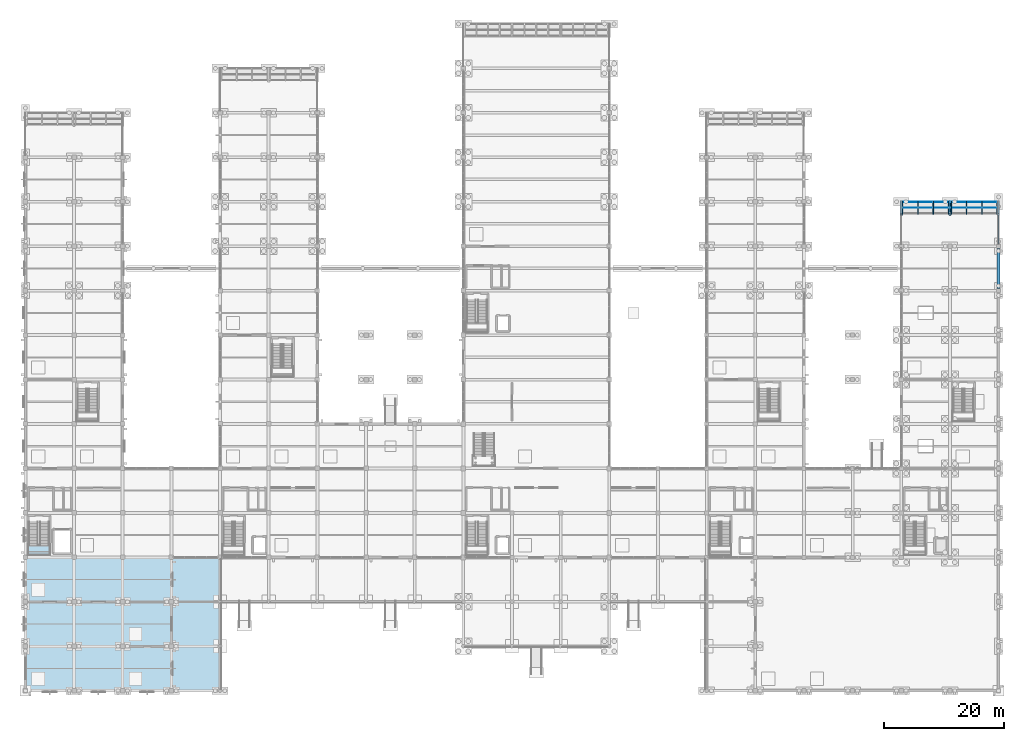
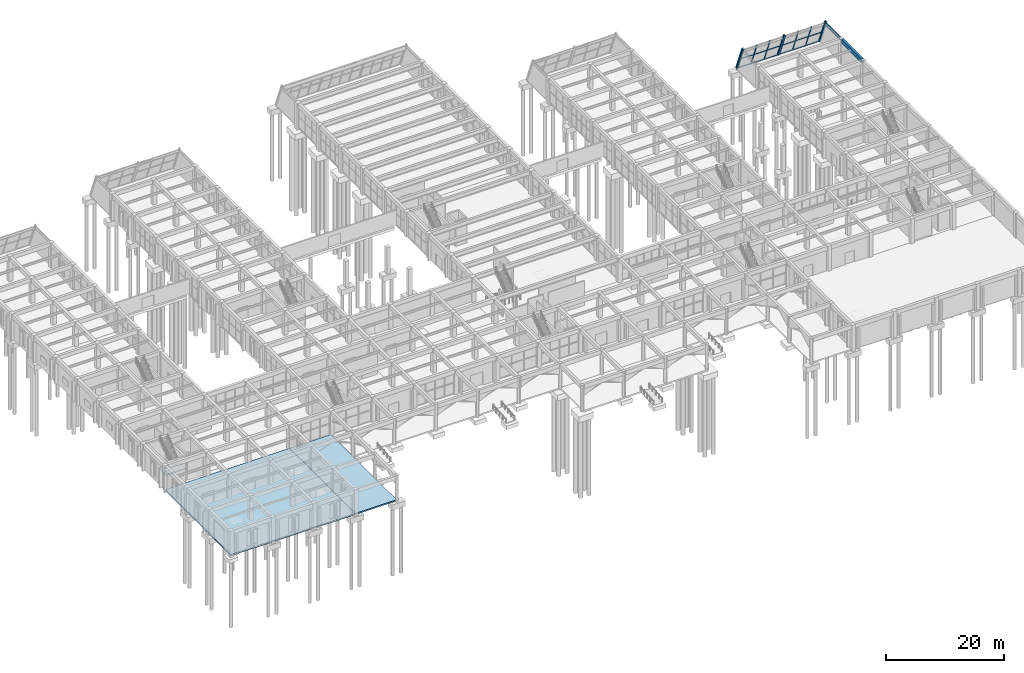
# One storey, part 110 of 140: 15 members, 3 slabs, 2 beams, 3 elements without a shape of their own.
"""IFC4 building model written with IfcOpenShell, lengths in metres."""

import ifcopenshell
import ifcopenshell.guid

model = None  # the IFC model being written
_history = None  # IfcOwnerHistory: only IFC2X3 demands one
_inside = {}  # id of a spatial element -> (the spatial element, [elements in it])
_under = {}  # id of a project, library or spatial element -> (it, [spatial elements below it])
_declared = {}  # id of a project -> (the project, [libraries it declares])
_typed = {}  # id of a type object -> (the type object, [elements of that type])
_made_of = {}  # id of a material, layer set ... -> (it, [elements and type objects made of it])


def new_model(schema):
    """Start an empty IFC model of exactly this schema.

    Asked for "IFC4X3", IfcOpenShell would pick the latest addendum, in which some entities
    have other attributes; the version numbers below select the first issue.
    IFC2X3 requires an IfcOwnerHistory on every rooted entity: one is made here for all.
    """
    global model, _history
    if schema == "IFC4X3":
        model = ifcopenshell.file(schema_version=(4, 3, 0, 0))
    else:
        model = ifcopenshell.file(schema=schema)
    _inside.clear()
    _under.clear()
    _declared.clear()
    _typed.clear()
    _made_of.clear()
    _history = None
    if model.schema == "IFC2X3":
        org = make("IfcOrganization", Name="unknown")
        user = make(
            "IfcPersonAndOrganization",
            ThePerson=make("IfcPerson", FamilyName="unknown"),
            TheOrganization=org,
        )
        app = make(
            "IfcApplication",
            ApplicationDeveloper=org,
            Version="unknown",
            ApplicationFullName="unknown",
            ApplicationIdentifier="unknown",
        )
        _history = make(
            "IfcOwnerHistory",
            OwningUser=user,
            OwningApplication=app,
            ChangeAction="ADDED",
            CreationDate=0,
        )
    return model


def make(cls, **values):
    """One entity of the class cls with the attributes given. An attribute that is None is left unset."""
    return model.create_entity(
        cls, **{name: value for name, value in values.items() if value is not None}
    )


def rooted(cls, **values):
    """An entity with a GlobalId (a new one), such as an element, a storey or a relation."""
    return make(cls, GlobalId=ifcopenshell.guid.new(), OwnerHistory=_history, **values)


def si_unit(unit_type, name, prefix=None):
    """IfcSIUnit, for example si_unit("LENGTHUNIT", "METRE", prefix="MILLI")."""
    return make("IfcSIUnit", UnitType=unit_type, Prefix=prefix, Name=name)


def assignment(units):
    """IfcUnitAssignment: the units of a project."""
    return None if units is None else make("IfcUnitAssignment", Units=units)


def point(xyz):
    """IfcCartesianPoint."""
    return None if xyz is None else make("IfcCartesianPoint", Coordinates=xyz)


def direction(xyz):
    """IfcDirection."""
    return None if xyz is None else make("IfcDirection", DirectionRatios=xyz)


def frame(location, z_axis=None, x_axis=None):
    """IfcAxis2Placement3D, a coordinate frame: its origin and axes. An axis left out is left unset."""
    return make(
        "IfcAxis2Placement3D",
        Location=point(location),
        Axis=direction(z_axis),
        RefDirection=direction(x_axis),
    )


def frame_2d(location, x_axis=None):
    """IfcAxis2Placement2D, a coordinate frame in the plane: its origin and x axis."""
    return make(
        "IfcAxis2Placement2D", Location=point(location), RefDirection=direction(x_axis)
    )


def origin():
    """The frame at (0, 0, 0) with its axes left unset."""
    return frame((0.0, 0.0, 0.0))


def origin_2d():
    """The frame at (0, 0) in the plane with its x axis left unset."""
    return frame_2d((0.0, 0.0))


def place(relative_to, where):
    """IfcLocalPlacement: puts the frame where relative to a parent placement (None: the world)."""
    return make(
        "IfcLocalPlacement", PlacementRelTo=relative_to, RelativePlacement=where
    )


def context(
    kind, dimensions, precision=None, world=None, true_north=None, identifier=None
):
    """IfcGeometricRepresentationContext, for example the 3D "Model" context."""
    return make(
        "IfcGeometricRepresentationContext",
        ContextIdentifier=identifier,
        ContextType=kind,
        CoordinateSpaceDimension=dimensions,
        Precision=precision,
        WorldCoordinateSystem=world,
        TrueNorth=true_north,
    )


def subcontext(parent, identifier, kind, view, scale=None):
    """IfcGeometricRepresentationSubContext, for example "Body" below "Model"."""
    return make(
        "IfcGeometricRepresentationSubContext",
        ContextIdentifier=identifier,
        ContextType=kind,
        ParentContext=parent,
        TargetScale=scale,
        TargetView=view,
    )


def project(units=None, contexts=None):
    """IfcProject with its units and contexts."""
    return rooted(
        "IfcProject",
        Name="project",
        RepresentationContexts=contexts,
        UnitsInContext=assignment(units),
    )


def spatial(cls, under=None, at=None, **own):
    """A site, building, storey or space (cls), placed at a placement, below another one or the project."""
    s = rooted(cls, ObjectPlacement=at, **own)
    if under is not None:
        _under.setdefault(under.id(), (under, []))[1].append(s)
    return s


def polyline(points):
    """IfcPolyline through the points."""
    return make("IfcPolyline", Points=[point(p) for p in points])


def profile(cls, at=None, kind="AREA", **sizes):
    """A parametric profile (cls). Its sizes go by their IFC names, for example OverallWidth=200.0."""
    return make(cls, ProfileType=kind, Position=at, **sizes)


def rectangle(**sizes):
    """IfcRectangleProfileDef."""
    return profile("IfcRectangleProfileDef", **sizes)


def hollow_rectangle(**sizes):
    """IfcRectangleHollowProfileDef."""
    return profile("IfcRectangleHollowProfileDef", **sizes)


def i_section(**sizes):
    """IfcIShapeProfileDef."""
    return profile("IfcIShapeProfileDef", **sizes)


def outline(outer, holes=None, kind="AREA"):
    """IfcArbitraryClosedProfileDef: a profile drawn as a closed curve; with holes, ...WithVoids."""
    if holes is None:
        return make("IfcArbitraryClosedProfileDef", ProfileType=kind, OuterCurve=outer)
    return make(
        "IfcArbitraryProfileDefWithVoids",
        ProfileType=kind,
        OuterCurve=outer,
        InnerCurves=holes,
    )


def extrude(swept, where, along, depth):
    """IfcExtrudedAreaSolid: the profile swept, set in the frame where, extruded along a direction by depth."""
    return make(
        "IfcExtrudedAreaSolid",
        SweptArea=swept,
        Position=where,
        ExtrudedDirection=direction(along),
        Depth=depth,
    )


def shape(context_of_items, identifier, shape_type, items):
    """IfcShapeRepresentation: the items that make up one representation, for example the "Body"."""
    return make(
        "IfcShapeRepresentation",
        ContextOfItems=context_of_items,
        RepresentationIdentifier=identifier,
        RepresentationType=shape_type,
        Items=items,
    )


def material(Name=None, Category=None):
    """IfcMaterial."""
    return make("IfcMaterial", Name=Name, Category=Category)


def layer(
    of_material, thickness, ventilated=None, Name=None, Category=None, Priority=None
):
    """IfcMaterialLayer: one layer of a wall or slab, of a material (None: an air gap)."""
    return make(
        "IfcMaterialLayer",
        Material=of_material,
        LayerThickness=thickness,
        IsVentilated=ventilated,
        Name=Name,
        Category=Category,
        Priority=Priority,
    )


def layer_set(layers, Name=None):
    """IfcMaterialLayerSet."""
    return make("IfcMaterialLayerSet", MaterialLayers=layers, LayerSetName=Name)


def material_profile(
    of_material, cross_section, Name=None, Category=None, Priority=None
):
    """IfcMaterialProfile: a cross section and its material."""
    return make(
        "IfcMaterialProfile",
        Name=Name,
        Material=of_material,
        Profile=cross_section,
        Priority=Priority,
        Category=Category,
    )


def profile_set(profiles, Name=None, composite=None):
    """IfcMaterialProfileSet."""
    return make(
        "IfcMaterialProfileSet",
        Name=Name,
        MaterialProfiles=profiles,
        CompositeProfile=composite,
    )


def made_of(thing, what):
    """Note that an element or type object is made of a material, layer set ...; save() writes the relation."""
    if what is not None:
        _made_of.setdefault(what.id(), (what, []))[1].append(thing)
    return thing


def type_object(cls, material=None, **own):
    """A type object (cls), such as IfcWallType, which elements share."""
    return made_of(rooted(cls, **own), material)


def element(
    cls,
    number,
    at=None,
    inside=None,
    cuts=None,
    type_object=None,
    material=None,
    context=None,
    identifier="Body",
    shape_type=None,
    held_by="IfcProductDefinitionShape",
    body=None,
    shapes=None,
    **own,
):
    """One element of the class cls, such as IfcWall. Its Tag is "e" and its number.

    at: its placement. inside: the storey or other place that contains it. cuts: it is an
    opening in that element (IfcRelVoidsElement). A single representation is given by context,
    identifier, shape_type and body (its items); several are given by shapes. held_by: the class
    of the entity that holds the representations. save() writes the other relations.
    """
    e = rooted(cls, Tag="e%d" % number, ObjectPlacement=at, **own)
    if body is not None:
        shapes = [shape(context, identifier, shape_type, body)]
    if shapes is not None:
        e.Representation = make(held_by, Representations=shapes)
    if inside is not None:
        _inside.setdefault(inside.id(), (inside, []))[1].append(e)
    if cuts is not None:
        rooted(
            "IfcRelVoidsElement", RelatingBuildingElement=cuts, RelatedOpeningElement=e
        )
    if type_object is not None:
        _typed.setdefault(type_object.id(), (type_object, []))[1].append(e)
    return made_of(e, material)


def aggregate(whole, parts):
    """IfcRelAggregates: a whole, such as a stair, and the parts it consists of."""
    return rooted("IfcRelAggregates", RelatingObject=whole, RelatedObjects=parts)


def save(model, path):
    """Write the relations noted so far, then the file.

    IfcRelAggregates (storeys below a building ...), IfcRelContainedInSpatialStructure (elements
    in a storey), IfcRelDefinesByType, IfcRelAssociatesMaterial and IfcRelDeclares: one each for
    every whole, place, type object, material and project.
    """
    for whole, parts in _under.values():
        aggregate(whole, parts)
    for where, things in _inside.values():
        rooted(
            "IfcRelContainedInSpatialStructure",
            RelatedElements=things,
            RelatingStructure=where,
        )
    for kind, things in _typed.values():
        rooted("IfcRelDefinesByType", RelatedObjects=things, RelatingType=kind)
    for what, things in _made_of.values():
        rooted("IfcRelAssociatesMaterial", RelatedObjects=things, RelatingMaterial=what)
    for by, libraries in _declared.values():
        rooted("IfcRelDeclares", RelatingContext=by, RelatedDefinitions=libraries)
    model.write(path)


model = new_model("IFC4")

# Units and contexts
model_context = context("Model", 3, precision=1e-05, world=origin(), true_north=direction((0.0, 1.0)))
body_context = subcontext(model_context, "Body", "Model", "MODEL_VIEW")
ifc_project = project(units=[si_unit("LENGTHUNIT", "METRE"), si_unit("AREAUNIT", "SQUARE_METRE"), si_unit("VOLUMEUNIT", "CUBIC_METRE"), si_unit("PLANEANGLEUNIT", "RADIAN"), si_unit("MASSUNIT", "GRAM", prefix="KILO")], contexts=[model_context])

# Site, building, storey
site_placement = place(None, origin())
site = spatial("IfcSite", under=ifc_project, at=site_placement, CompositionType="ELEMENT")
building_placement = place(site_placement, origin())
building = spatial("IfcBuilding", under=site, at=building_placement, Name="Cimatlan Art Gallery", CompositionType="ELEMENT")
storey_placement = place(building_placement, origin())
storey = spatial("IfcBuildingStorey", under=building, at=storey_placement, Name="L00", CompositionType="ELEMENT", Elevation=0.0)

# Beams
ifc_material_1 = material(Name="Concrete C40/50", Category="concrete")
ifc_material_profile_1 = material_profile(ifc_material_1, rectangle(XDim=0.449951171875, YDim=0.800048828125, at=origin_2d()), Name="RC450X800")
ifc_profile_set_1 = profile_set([ifc_material_profile_1], Name="Concrete C40/50")
beam_type_1 = type_object("IfcBeamType", Name="BM-RC-450X800", PredefinedType="BEAM", material=ifc_profile_set_1)
beam_1_placement = place(storey_placement, frame((164.0, 68.64990234375, 4.735107421875), z_axis=(0.0, 1.0, 0.0), x_axis=(-1.0, 0.0, 0.0)))
element("IfcBeam", 1, at=beam_1_placement, inside=storey, type_object=beam_type_1, Name="BM-Y-L00-20-09", PredefinedType="BEAM", context=body_context, shape_type="SweptSolid", body=[
    extrude(rectangle(XDim=0.449951171875, YDim=0.800048828125, at=origin_2d()), origin(), (0.0, 0.0, 1.0), 6.7001953125),
])
ifc_material_2 = material(Name="Steel ASTM A992 Grade 50", Category="steel")
ifc_material_profile_2 = material_profile(ifc_material_2, i_section(OverallWidth=0.2099609375, OverallDepth=0.532958984375, WebThickness=0.01025390625, FlangeThickness=0.015625, at=origin_2d()), Name="W21X62")
ifc_profile_set_2 = profile_set([ifc_material_profile_2], Name="Steel ASTM A992 Grade 50")
beam_type_2 = type_object("IfcBeamType", Name="BM-STL-W21X62", PredefinedType="BEAM", material=ifc_profile_set_2)
beam_2_placement = place(storey_placement, frame((164.0, 76.050048828125, 4.868408203125), z_axis=(0.0, 1.0, 0.0), x_axis=(-1.0, 0.0, 0.0)))
element("IfcBeam", 2, at=beam_2_placement, inside=storey, type_object=beam_type_2, Name="BM-PRW-Y-L00-B5-20", PredefinedType="BEAM", context=body_context, shape_type="SweptSolid", body=[
    extrude(i_section(OverallWidth=0.2099609375, OverallDepth=0.532958984375, WebThickness=0.01025390625, FlangeThickness=0.015625, at=origin_2d()), origin(), (0.0, 0.0, 1.0), 4.837158203125),
])

# Curtain wall, members
ifc_material_3 = material(Name="Raked steel-and-bronze lancet curtain wall", Category="steel")
curtain_wall_type = type_object("IfcCurtainWallType", Name="CW-RAK-07660X05503-B3", PredefinedType="NOTDEFINED", material=ifc_material_3)
curtain_wall_1_placement = place(storey_placement, origin())
curtain_wall_1 = element("IfcCurtainWall", 3, at=curtain_wall_1_placement, inside=storey, type_object=curtain_wall_type, Name="CW-PROW-L00-B5-18", PredefinedType="NOTDEFINED")
ifc_material_4 = material(Name="Steel ASTM A500 Grade C", Category="steel")
ifc_material_profile_3 = material_profile(ifc_material_4, hollow_rectangle(XDim=0.1201171875, YDim=0.1201171875, WallThickness=0.00634765625, at=origin_2d()), Name="HSS120X120X6")
ifc_profile_set_3 = profile_set([ifc_material_profile_3], Name="Steel ASTM A500 Grade C")
member_type_1 = type_object("IfcMemberType", Name="CW-MUL-RAK", PredefinedType="MULLION", material=ifc_profile_set_3)
member_1_placement = place(storey_placement, frame((148.02001953125, 83.10009765625, 0.0), z_axis=(0.0, -0.366497751223, 0.930418937011), x_axis=(1.0, 0.0, 0.0)))
member_1 = element("IfcMember", 4, at=member_1_placement, type_object=member_type_1, Name="CW-PROW-L00-B5-18-M1", PredefinedType="MULLION", context=body_context, shape_type="SweptSolid", body=[
    extrude(hollow_rectangle(XDim=0.1201171875, YDim=0.1201171875, WallThickness=0.00634765625, at=origin_2d()), origin(), (0.0, 0.0, 1.0), 5.5029296875),
])
member_2_placement = place(storey_placement, frame((150.5732421875, 83.10009765625, 0.0), z_axis=(0.0, -0.366497751223, 0.930418937011), x_axis=(1.0, 0.0, 0.0)))
member_2 = element("IfcMember", 5, at=member_2_placement, type_object=member_type_1, Name="CW-PROW-L00-B5-18-M2", PredefinedType="MULLION", context=body_context, shape_type="SweptSolid", body=[
    extrude(hollow_rectangle(XDim=0.1201171875, YDim=0.1201171875, WallThickness=0.00634765625, at=origin_2d()), origin(), (0.0, 0.0, 1.0), 5.5029296875),
])
member_3_placement = place(storey_placement, frame((153.126708984375, 83.10009765625, 0.0), z_axis=(0.0, -0.366497751223, 0.930418937011), x_axis=(1.0, 0.0, 0.0)))
member_3 = element("IfcMember", 6, at=member_3_placement, type_object=member_type_1, Name="CW-PROW-L00-B5-18-M3", PredefinedType="MULLION", context=body_context, shape_type="SweptSolid", body=[
    extrude(hollow_rectangle(XDim=0.1201171875, YDim=0.1201171875, WallThickness=0.00634765625, at=origin_2d()), origin(), (0.0, 0.0, 1.0), 5.5029296875),
])
member_4_placement = place(storey_placement, frame((155.679931640625, 83.10009765625, 0.0), z_axis=(0.0, -0.366497751223, 0.930418937011), x_axis=(1.0, 0.0, 0.0)))
member_4 = element("IfcMember", 7, at=member_4_placement, type_object=member_type_1, Name="CW-PROW-L00-B5-18-M4", PredefinedType="MULLION", context=body_context, shape_type="SweptSolid", body=[
    extrude(hollow_rectangle(XDim=0.1201171875, YDim=0.1201171875, WallThickness=0.00634765625, at=origin_2d()), origin(), (0.0, 0.0, 1.0), 5.5029296875),
])

curtain_wall_2_placement = place(storey_placement, origin())
curtain_wall_2 = element("IfcCurtainWall", 8, at=curtain_wall_2_placement, inside=storey, type_object=curtain_wall_type, Name="CW-PROW-L00-B5-19", PredefinedType="NOTDEFINED")
member_5_placement = place(storey_placement, frame((156.1201171875, 83.10009765625, 0.0), z_axis=(0.0, -0.366497751223, 0.930418937011), x_axis=(1.0, 0.0, 0.0)))
member_5 = element("IfcMember", 9, at=member_5_placement, type_object=member_type_1, Name="CW-PROW-L00-B5-19-M1", PredefinedType="MULLION", context=body_context, shape_type="SweptSolid", body=[
    extrude(hollow_rectangle(XDim=0.1201171875, YDim=0.1201171875, WallThickness=0.00634765625, at=origin_2d()), origin(), (0.0, 0.0, 1.0), 5.5029296875),
])
member_6_placement = place(storey_placement, frame((158.67333984375, 83.10009765625, 0.0), z_axis=(0.0, -0.366497751223, 0.930418937011), x_axis=(1.0, 0.0, 0.0)))
member_6 = element("IfcMember", 10, at=member_6_placement, type_object=member_type_1, Name="CW-PROW-L00-B5-19-M2", PredefinedType="MULLION", context=body_context, shape_type="SweptSolid", body=[
    extrude(hollow_rectangle(XDim=0.1201171875, YDim=0.1201171875, WallThickness=0.00634765625, at=origin_2d()), origin(), (0.0, 0.0, 1.0), 5.5029296875),
])
member_7_placement = place(storey_placement, frame((161.226806640625, 83.10009765625, 0.0), z_axis=(0.0, -0.366497751223, 0.930418937011), x_axis=(1.0, 0.0, 0.0)))
member_7 = element("IfcMember", 11, at=member_7_placement, type_object=member_type_1, Name="CW-PROW-L00-B5-19-M3", PredefinedType="MULLION", context=body_context, shape_type="SweptSolid", body=[
    extrude(hollow_rectangle(XDim=0.1201171875, YDim=0.1201171875, WallThickness=0.00634765625, at=origin_2d()), origin(), (0.0, 0.0, 1.0), 5.5029296875),
])
member_8_placement = place(storey_placement, frame((163.780029296875, 83.10009765625, 0.0), z_axis=(0.0, -0.366497751223, 0.930418937011), x_axis=(1.0, 0.0, 0.0)))
member_8 = element("IfcMember", 12, at=member_8_placement, type_object=member_type_1, Name="CW-PROW-L00-B5-19-M4", PredefinedType="MULLION", context=body_context, shape_type="SweptSolid", body=[
    extrude(hollow_rectangle(XDim=0.1201171875, YDim=0.1201171875, WallThickness=0.00634765625, at=origin_2d()), origin(), (0.0, 0.0, 1.0), 5.5029296875),
])

# Member
ifc_material_5 = material(Name="Anodised bronze aluminium 6063-T6", Category="aluminium")
ifc_material_profile_4 = material_profile(ifc_material_5, hollow_rectangle(XDim=0.06494140625, YDim=0.139892578125, WallThickness=0.00390625, at=origin_2d()), Name="ALU65X140X4")
ifc_profile_set_4 = profile_set([ifc_material_profile_4], Name="Anodised bronze aluminium 6063-T6")
member_type_2 = type_object("IfcMemberType", Name="CW-TRN-140", PredefinedType="USERDEFINED", material=ifc_profile_set_4)
member_9_placement = place(storey_placement, frame((148.02001953125, 83.059814453125, 0.102294921875), z_axis=(1.0, 0.0, 0.0), x_axis=(0.0, 1.0, 0.0)))
member_9 = element("IfcMember", 13, at=member_9_placement, type_object=member_type_2, Name="CW-PROW-L00-B5-18-T1", ObjectType="TRANSOM", PredefinedType="USERDEFINED", context=body_context, shape_type="SweptSolid", body=[
    extrude(hollow_rectangle(XDim=0.06494140625, YDim=0.139892578125, WallThickness=0.00390625, at=origin_2d()), origin(), (0.0, 0.0, 1.0), 7.659912109375),
])

member_10_placement = place(storey_placement, frame((148.02001953125, 82.091552734375, 2.56005859375), z_axis=(1.0, 0.0, 0.0), x_axis=(0.0, 1.0, 0.0)))
member_10 = element("IfcMember", 14, at=member_10_placement, type_object=member_type_2, Name="CW-PROW-L00-B5-18-T2", ObjectType="TRANSOM", PredefinedType="USERDEFINED", context=body_context, shape_type="SweptSolid", body=[
    extrude(hollow_rectangle(XDim=0.06494140625, YDim=0.139892578125, WallThickness=0.00390625, at=origin_2d()), origin(), (0.0, 0.0, 1.0), 7.659912109375),
])

aggregate(curtain_wall_1, [member_1, member_2, member_3, member_4, member_9, member_10])

member_11_placement = place(storey_placement, frame((156.1201171875, 83.059814453125, 0.102294921875), z_axis=(1.0, 0.0, 0.0), x_axis=(0.0, 1.0, 0.0)))
member_11 = element("IfcMember", 15, at=member_11_placement, type_object=member_type_2, Name="CW-PROW-L00-B5-19-T1", ObjectType="TRANSOM", PredefinedType="USERDEFINED", context=body_context, shape_type="SweptSolid", body=[
    extrude(hollow_rectangle(XDim=0.06494140625, YDim=0.139892578125, WallThickness=0.00390625, at=origin_2d()), origin(), (0.0, 0.0, 1.0), 7.659912109375),
])

member_12_placement = place(storey_placement, frame((156.1201171875, 82.091552734375, 2.56005859375), z_axis=(1.0, 0.0, 0.0), x_axis=(0.0, 1.0, 0.0)))
member_12 = element("IfcMember", 16, at=member_12_placement, type_object=member_type_2, Name="CW-PROW-L00-B5-19-T2", ObjectType="TRANSOM", PredefinedType="USERDEFINED", context=body_context, shape_type="SweptSolid", body=[
    extrude(hollow_rectangle(XDim=0.06494140625, YDim=0.139892578125, WallThickness=0.00390625, at=origin_2d()), origin(), (0.0, 0.0, 1.0), 7.659912109375),
])

aggregate(curtain_wall_2, [member_5, member_6, member_7, member_8, member_11, member_12])

# Members
ifc_material_profile_5 = material_profile(ifc_material_2, i_section(OverallWidth=0.37109375, OverallDepth=0.364013671875, WebThickness=0.01318359375, FlangeThickness=0.021728515625, at=origin_2d()), Name="W14X109")
ifc_profile_set_5 = profile_set([ifc_material_profile_5], Name="Steel ASTM A992 Grade 50")
member_type_3 = type_object("IfcMemberType", Name="MBR-RAK-W14X109", PredefinedType="RAFTER", material=ifc_profile_set_5)
for number, where, z_axis, x_axis, name in (
    (17, (147.800048828125, 83.10009765625, 0.0), (0.0, -0.366519001006, 0.93041056631), (1.0, 0.0, 0.0), "MBR-RAK-L00-B5-18"),
    (18, (155.89990234375, 83.10009765625, 0.0), (0.0, -0.366519001006, 0.93041056631), (1.0, 0.0, 0.0), "MBR-RAK-L00-B5-19"),
    (19, (164.0, 83.10009765625, 0.0), (0.0, -0.366519001006, 0.93041056631), (1.0, 0.0, 0.0), "MBR-RAK-L00-B5-20"),
):
    element("IfcMember", number, at=place(storey_placement, frame(where, z_axis=z_axis, x_axis=x_axis)), inside=storey, type_object=member_type_3, Name=name, PredefinedType="RAFTER", context=body_context, shape_type="SweptSolid", body=[
        extrude(i_section(OverallWidth=0.37109375, OverallDepth=0.364013671875, WebThickness=0.01318359375, FlangeThickness=0.021728515625, at=origin_2d()), origin(), (0.0, 0.0, 1.0), 5.8037109375),
    ])

# Slabs
ifc_material_6 = material(Name="Concrete C35/45", Category="concrete")
ifc_layer_1 = layer(ifc_material_6, 0.280029296875)
ifc_layer_set_1 = layer_set([ifc_layer_1], Name="Concrete C35/45")
slab_type_1 = type_object("IfcSlabType", Name="SLB-FLR-L00", PredefinedType="FLOOR", material=ifc_layer_set_1)
slab_1_placement = place(storey_placement, frame((0.0, 0.0, -0.280029296875)))
element("IfcSlab", 20, at=slab_1_placement, inside=storey, type_object=slab_type_1, Name="SLB-L00-SW1", PredefinedType="FLOOR", context=body_context, shape_type="SweptSolid", body=[
    extrude(outline(polyline([(2.0, 1.699951171875), (26.300048828125, 1.699951171875), (26.300048828125, 23.89990234375), (2.0, 23.89990234375), (2.0, 1.699951171875)])), origin(), (0.0, 0.0, 1.0), 0.280029296875),
])
ifc_layer_2 = layer(ifc_material_6, 0.280029296875)
ifc_layer_set_2 = layer_set([ifc_layer_2], Name="Concrete C35/45")
slab_type_2 = type_object("IfcSlabType", Name="SLB-PAV-280", PredefinedType="BASESLAB", material=ifc_layer_set_2)
slab_2_placement = place(storey_placement, frame((0.0, 0.0, -0.280029296875)))
element("IfcSlab", 21, at=slab_2_placement, inside=storey, type_object=slab_type_2, Name="SLB-L00-COL-W", PredefinedType="BASESLAB", context=body_context, shape_type="SweptSolid", body=[
    extrude(outline(polyline([(26.300048828125, 1.699951171875), (34.39990234375, 1.699951171875), (34.39990234375, 23.89990234375), (26.300048828125, 23.89990234375), (26.300048828125, 1.699951171875)])), origin(), (0.0, 0.0, 1.0), 0.280029296875),
])

# Stair, slab
stair_type = type_object("IfcStairType", Name="STR-HALF-155-540", PredefinedType="HALF_TURN_STAIR", material=ifc_material_6)
stair_placement = place(storey_placement, origin())
stair = element("IfcStair", 22, at=stair_placement, inside=storey, type_object=stair_type, Name="STR-C1-L00", PredefinedType="HALF_TURN_STAIR")
ifc_layer_3 = layer(ifc_material_6, 0.219970703125)
ifc_layer_set_3 = layer_set([ifc_layer_3], Name="Concrete C35/45")
slab_type_3 = type_object("IfcSlabType", Name="SLB-STAIR-LAND-220", PredefinedType="LANDING", material=ifc_layer_set_3)
slab_3_placement = place(storey_placement, frame((0.0, 0.0, 2.47998046875)))
slab_3 = element("IfcSlab", 23, at=slab_3_placement, type_object=slab_type_3, Name="STR-C1-L00-LND", PredefinedType="LANDING", context=body_context, shape_type="SweptSolid", body=[
    extrude(outline(polyline([(2.35009765625, 24.25), (6.139892578125, 24.25), (6.139892578125, 26.10498046875), (2.35009765625, 26.10498046875), (2.35009765625, 24.25)])), origin(), (0.0, 0.0, 1.0), 0.219970703125),
])
aggregate(stair, [slab_3])

save(model, "model.ifc")
